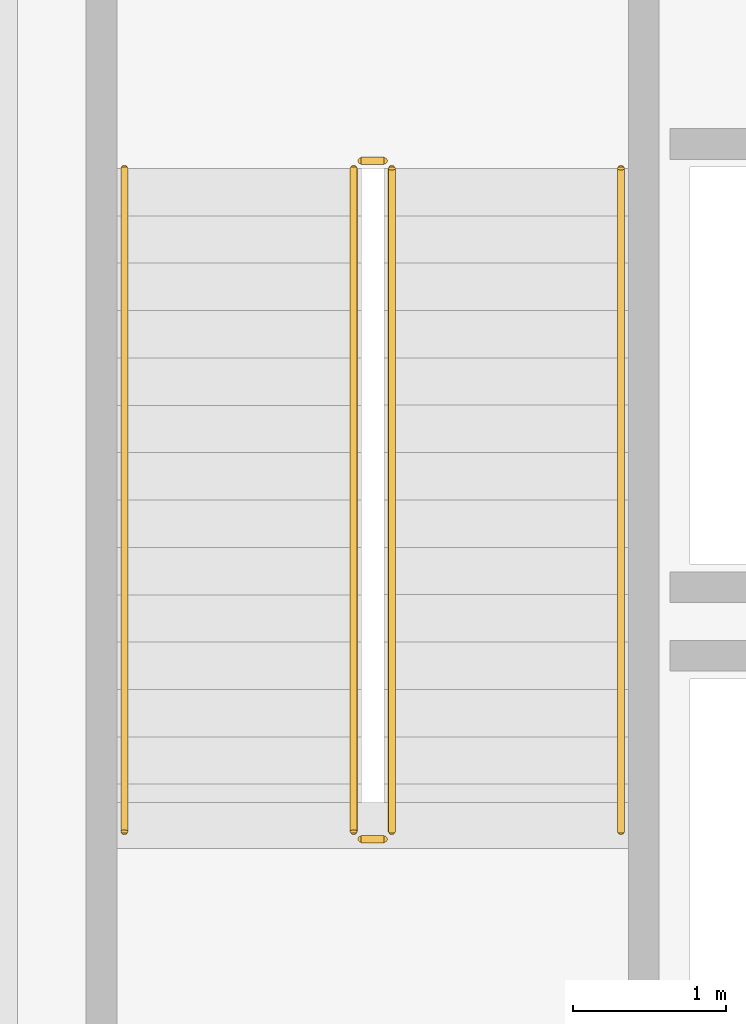
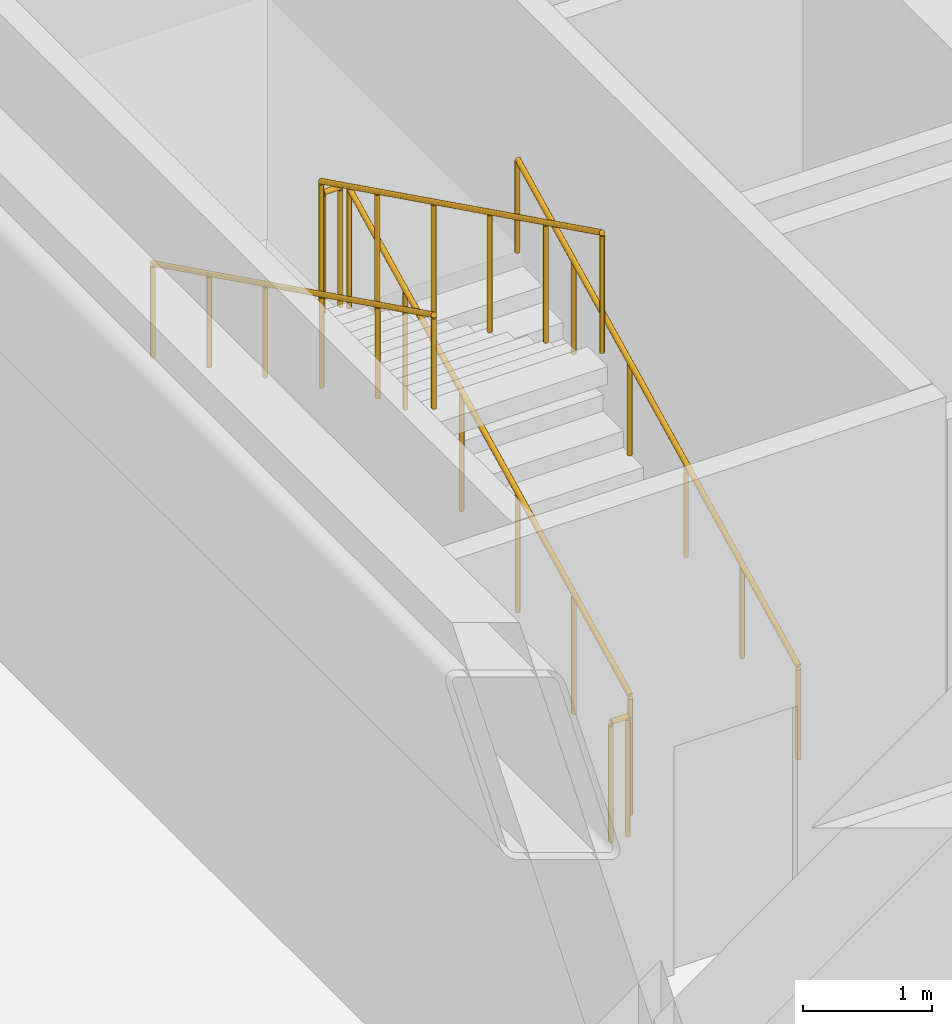
# One storey, part 12 of 14: 6 railings.
"""IFC4 building model written with IfcOpenShell, lengths in metres."""

from ifc_helpers import new_model, si_unit, direction, frame, origin, origin_2d, place, context, subcontext, project, spatial, circle, extrude, material, type_object, element, save


model = new_model("IFC4")

# Units and contexts
model_context = context("Model", 3, precision=1e-05, world=origin(), true_north=direction((0.0, 1.0)))
body_context = subcontext(model_context, "Body", "Model", "MODEL_VIEW")
ifc_project = project(units=[si_unit("LENGTHUNIT", "METRE"), si_unit("AREAUNIT", "SQUARE_METRE"), si_unit("VOLUMEUNIT", "CUBIC_METRE"), si_unit("PLANEANGLEUNIT", "RADIAN"), si_unit("MASSUNIT", "GRAM", prefix="KILO")], contexts=[model_context])

# Site, building, storey
site_placement = place(None, origin())
site = spatial("IfcSite", under=ifc_project, at=site_placement, CompositionType="ELEMENT")
building_placement = place(site_placement, origin())
building = spatial("IfcBuilding", under=site, at=building_placement, Name="Vaeldorn Concourse Tower", CompositionType="ELEMENT")
storey_placement = place(building_placement, frame((0.0, 0.0, 303.800048828125)))
storey = spatial("IfcBuildingStorey", under=building, at=storey_placement, Name="L78", CompositionType="ELEMENT", Elevation=303.800048828125)

# Railings
ifc_material = material(Name="Anodised Bronze Aluminium", Category="aluminium")
railing_type_1 = type_object("IfcRailingType", Name="RL-STAIR-GUARD", PredefinedType="GUARDRAIL", material=ifc_material)
railing_1_placement = place(storey_placement, frame((16.85009765625, 41.60009765625, 0.1533203125)))
element("IfcRailing", 1, at=railing_1_placement, inside=storey, type_object=railing_type_1, Name="L78 ST-1 stair guard 1", PredefinedType="GUARDRAIL", context=body_context, shape_type="SweptSolid", body=[
    extrude(circle(Radius=0.02392578125, at=origin_2d()), frame((0.0, 0.0, 1.1259765625), z_axis=(0.0, 0.896335089171, 0.443377274926), x_axis=(-1.0, 0.0, 0.0)), (0.0, 0.0, 1.0), 4.841796875),
    extrude(circle(Radius=0.02099609375, at=origin_2d()), origin(), (0.0, 0.0, 1.0), 1.101806640625),
    extrude(circle(Radius=0.02099609375, at=origin_2d()), frame((0.0, 0.867919921875, 0.429443359375)), (0.0, 0.0, 1.0), 1.101806640625),
    extrude(circle(Radius=0.02099609375, at=origin_2d()), frame((0.0, 1.73583984375, 0.858642578125)), (0.0, 0.0, 1.0), 1.101806640625),
    extrude(circle(Radius=0.02099609375, at=origin_2d()), frame((0.0, 2.60400390625, 1.2880859375)), (0.0, 0.0, 1.0), 1.101806640625),
    extrude(circle(Radius=0.02099609375, at=origin_2d()), frame((0.0, 3.471923828125, 1.71728515625)), (0.0, 0.0, 1.0), 1.101806640625),
    extrude(circle(Radius=0.02099609375, at=origin_2d()), frame((0.0, 4.33984375, 2.146728515625)), (0.0, 0.0, 1.0), 1.101806640625),
])
railing_2_placement = place(storey_placement, frame((16.800048828125, 45.989990234375, 2.300048828125)))
element("IfcRailing", 2, at=railing_2_placement, inside=storey, type_object=railing_type_1, Name="L78 ST-1 stair guard 2", PredefinedType="GUARDRAIL", context=body_context, shape_type="SweptSolid", body=[
    extrude(circle(Radius=0.02392578125, at=origin_2d()), frame((0.0, 0.0, 1.1259765625), z_axis=(-1.0, 0.0, 0.0), x_axis=(0.0, -1.0, 0.0)), (0.0, 0.0, 1.0), 0.150146484375),
    extrude(circle(Radius=0.02099609375, at=origin_2d()), origin(), (0.0, 0.0, 1.0), 1.101806640625),
    extrude(circle(Radius=0.02099609375, at=origin_2d()), frame((-0.150146484375, 0.0, 0.0)), (0.0, 0.0, 1.0), 1.101806640625),
])
railing_3_placement = place(storey_placement, frame((16.60009765625, 45.93994140625, 2.453369140625)))
element("IfcRailing", 3, at=railing_3_placement, inside=storey, type_object=railing_type_1, Name="L78 ST-1 stair guard 3", PredefinedType="GUARDRAIL", context=body_context, shape_type="SweptSolid", body=[
    extrude(circle(Radius=0.02392578125, at=origin_2d()), frame((0.0, 0.0, 1.1259765625), z_axis=(0.0, -0.896355127895, 0.443336762176), x_axis=(1.0, 0.0, 0.0)), (0.0, 0.0, 1.0), 4.841552734375),
    extrude(circle(Radius=0.02099609375, at=origin_2d()), origin(), (0.0, 0.0, 1.0), 1.101806640625),
    extrude(circle(Radius=0.02099609375, at=origin_2d()), frame((0.0, -0.867919921875, 0.42919921875)), (0.0, 0.0, 1.0), 1.101806640625),
    extrude(circle(Radius=0.02099609375, at=origin_2d()), frame((0.0, -1.73583984375, 0.858642578125)), (0.0, 0.0, 1.0), 1.101806640625),
    extrude(circle(Radius=0.02099609375, at=origin_2d()), frame((0.0, -2.60400390625, 1.287841796875)), (0.0, 0.0, 1.0), 1.101806640625),
    extrude(circle(Radius=0.02099609375, at=origin_2d()), frame((0.0, -3.471923828125, 1.71728515625)), (0.0, 0.0, 1.0), 1.101806640625),
    extrude(circle(Radius=0.02099609375, at=origin_2d()), frame((0.0, -4.33984375, 2.146484375)), (0.0, 0.0, 1.0), 1.101806640625),
])
railing_4_placement = place(storey_placement, frame((16.800048828125, 41.550048828125, 0.0)))
element("IfcRailing", 4, at=railing_4_placement, inside=storey, type_object=railing_type_1, Name="L78 ST-1 stair guard 4", PredefinedType="GUARDRAIL", context=body_context, shape_type="SweptSolid", body=[
    extrude(circle(Radius=0.02392578125, at=origin_2d()), frame((0.0, 0.0, 1.1259765625), z_axis=(-1.0, 0.0, 0.0), x_axis=(0.0, -1.0, 0.0)), (0.0, 0.0, 1.0), 0.150146484375),
    extrude(circle(Radius=0.02099609375, at=origin_2d()), origin(), (0.0, 0.0, 1.0), 1.101806640625),
    extrude(circle(Radius=0.02099609375, at=origin_2d()), frame((-0.150146484375, 0.0, 0.0)), (0.0, 0.0, 1.0), 1.101806640625),
])
railing_type_2 = type_object("IfcRailingType", Name="RL-STAIR-HANDRAIL", PredefinedType="HANDRAIL", material=ifc_material)
railing_5_placement = place(storey_placement, frame((18.35009765625, 41.60009765625, 0.1533203125)))
element("IfcRailing", 5, at=railing_5_placement, inside=storey, type_object=railing_type_2, Name="L78 ST-1 stair handrail 1", PredefinedType="HANDRAIL", context=body_context, shape_type="SweptSolid", body=[
    extrude(circle(Radius=0.02392578125, at=origin_2d()), frame((0.0, 0.0, 0.8759765625), z_axis=(0.0, 0.896335089171, 0.443377274926), x_axis=(-1.0, 0.0, 0.0)), (0.0, 0.0, 1.0), 4.841796875),
    extrude(circle(Radius=0.02099609375, at=origin_2d()), origin(), (0.0, 0.0, 1.0), 0.851806640625),
    extrude(circle(Radius=0.02099609375, at=origin_2d()), frame((0.0, 0.867919921875, 0.429443359375)), (0.0, 0.0, 1.0), 0.851806640625),
    extrude(circle(Radius=0.02099609375, at=origin_2d()), frame((0.0, 1.73583984375, 0.858642578125)), (0.0, 0.0, 1.0), 0.851806640625),
    extrude(circle(Radius=0.02099609375, at=origin_2d()), frame((0.0, 2.60400390625, 1.2880859375)), (0.0, 0.0, 1.0), 0.851806640625),
    extrude(circle(Radius=0.02099609375, at=origin_2d()), frame((0.0, 3.471923828125, 1.71728515625)), (0.0, 0.0, 1.0), 0.851806640625),
    extrude(circle(Radius=0.02099609375, at=origin_2d()), frame((0.0, 4.33984375, 2.146728515625)), (0.0, 0.0, 1.0), 0.851806640625),
])
railing_6_placement = place(storey_placement, frame((15.10009765625, 45.93994140625, 2.453369140625)))
element("IfcRailing", 6, at=railing_6_placement, inside=storey, type_object=railing_type_2, Name="L78 ST-1 stair handrail 2", PredefinedType="HANDRAIL", context=body_context, shape_type="SweptSolid", body=[
    extrude(circle(Radius=0.02392578125, at=origin_2d()), frame((0.0, 0.0, 0.8759765625), z_axis=(0.0, -0.896355127895, 0.443336762176), x_axis=(1.0, 0.0, 0.0)), (0.0, 0.0, 1.0), 4.841552734375),
    extrude(circle(Radius=0.02099609375, at=origin_2d()), origin(), (0.0, 0.0, 1.0), 0.851806640625),
    extrude(circle(Radius=0.02099609375, at=origin_2d()), frame((0.0, -0.867919921875, 0.42919921875)), (0.0, 0.0, 1.0), 0.851806640625),
    extrude(circle(Radius=0.02099609375, at=origin_2d()), frame((0.0, -1.73583984375, 0.858642578125)), (0.0, 0.0, 1.0), 0.851806640625),
    extrude(circle(Radius=0.02099609375, at=origin_2d()), frame((0.0, -2.60400390625, 1.287841796875)), (0.0, 0.0, 1.0), 0.851806640625),
    extrude(circle(Radius=0.02099609375, at=origin_2d()), frame((0.0, -3.471923828125, 1.71728515625)), (0.0, 0.0, 1.0), 0.851806640625),
    extrude(circle(Radius=0.02099609375, at=origin_2d()), frame((0.0, -4.33984375, 2.146484375)), (0.0, 0.0, 1.0), 0.851806640625),
])

save(model, "model.ifc")
